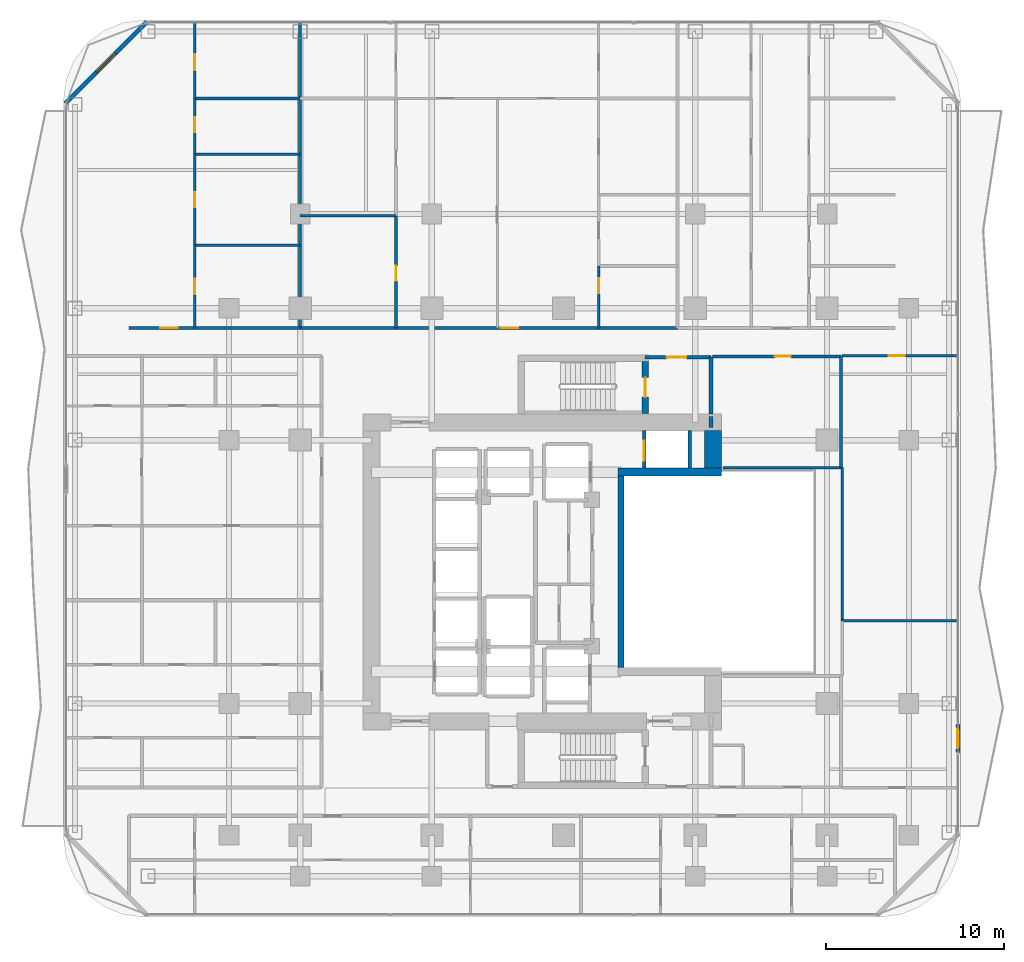
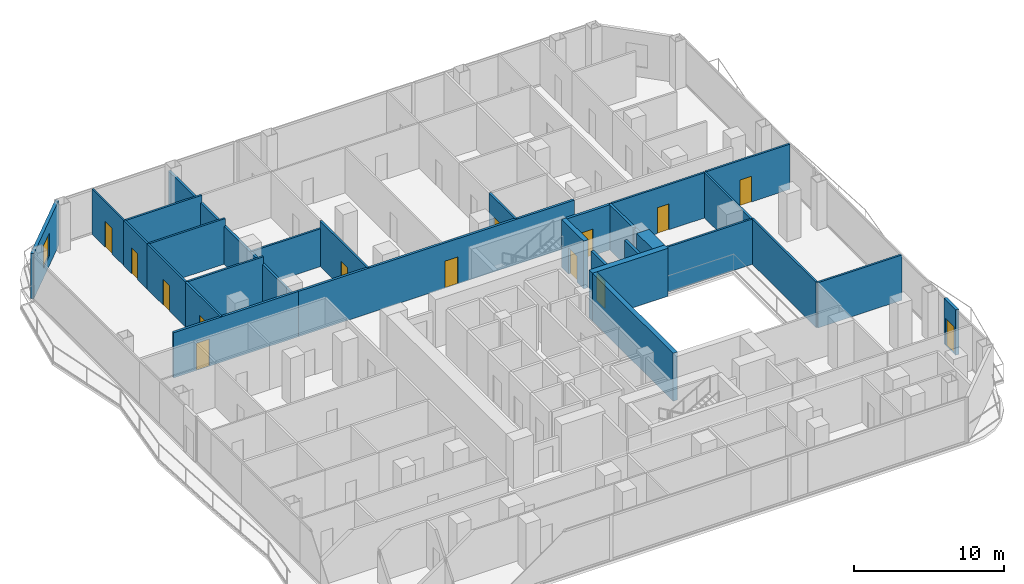
# One storey, part 22 of 28: 30 walls, 14 doors, 1 window, 15 openings.
"""IFC4 building model written with IfcOpenShell, lengths in metres."""

from ifc_helpers import new_model, si_unit, direction, frame, frame_2d, origin, place, context, subcontext, project, spatial, rectangle, extrude, material, layer, layer_set, type_object, element, fill, save


model = new_model("IFC4")

# Units and contexts
model_context = context("Model", 3, precision=1e-05, world=origin(), true_north=direction((0.0, 1.0)))
body_context = subcontext(model_context, "Body", "Model", "MODEL_VIEW")
ifc_project = project(units=[si_unit("LENGTHUNIT", "METRE"), si_unit("AREAUNIT", "SQUARE_METRE"), si_unit("VOLUMEUNIT", "CUBIC_METRE"), si_unit("PLANEANGLEUNIT", "RADIAN"), si_unit("MASSUNIT", "GRAM", prefix="KILO")], contexts=[model_context])

# Site, building, storey
site_placement = place(None, origin())
site = spatial("IfcSite", under=ifc_project, at=site_placement, CompositionType="ELEMENT")
building_placement = place(site_placement, origin())
building = spatial("IfcBuilding", under=site, at=building_placement, Name="Khorvyn Point Tower", CompositionType="ELEMENT")
storey_placement = place(building_placement, frame((0.0, 0.0, 100.800048828125)))
storey = spatial("IfcBuildingStorey", under=building, at=storey_placement, Name="L25", CompositionType="ELEMENT", Elevation=100.800048828125)

# Wall, opening, door
ifc_material_1 = material(Name="Double acoustic gypsum on twin steel stud", Category="steel")
ifc_layer_1 = layer(ifc_material_1, 0.179931640625)
ifc_layer_set_1 = layer_set([ifc_layer_1], Name="Acoustic Double-Stud Apartment Demising Wall 180")
wall_type_1 = type_object("IfcWallType", Name="Acoustic Double-Stud Apartment Demising Wall 180", PredefinedType="PARTITIONING", material=ifc_layer_set_1)
wall_1_placement = place(storey_placement, frame((-24.419921875, 13.699951171875, 0.0), z_axis=(0.0, 0.0, 1.0), x_axis=(1.0, 0.0, 0.0)))
wall_1 = element("IfcWall", 1, at=wall_1_placement, inside=storey, type_object=wall_type_1, Name="Wall", PredefinedType="PARTITIONING", context=body_context, shape_type="SweptSolid", body=[
    extrude(rectangle(XDim=9.61181640625, YDim=0.179931640625, at=frame_2d((4.805908203125, 0.0))), origin(), (0.0, 0.0, 1.0), 3.679931640625),
])
opening_1_placement = place(wall_1_placement, frame((1.747802734375, 0.0, 0.0)))
opening_1 = element("IfcOpeningElement", 2, at=opening_1_placement, cuts=wall_1, Name="Opening ID-AP60", PredefinedType="OPENING", context=body_context, shape_type="SweptSolid", body=[
    extrude(rectangle(XDim=1.0, YDim=2.199951171875, at=frame_2d((0.5, 1.10009765625))), frame((0.0, 0.099853515625, 0.0), z_axis=(0.0, -1.0, 0.0), x_axis=(1.0, 0.0, 0.0)), (0.0, 0.0, 1.0), 0.199951171875),
])
ifc_material_2 = material(Name="Engineered hardwood fire-rated leaf", Category="wood")
door_type_1 = type_object("IfcDoorType", Name="Acoustic Solid-Core Timber Apartment Entrance Door 1000x2200", OperationType="NOTDEFINED", PredefinedType="DOOR", material=ifc_material_2)
door_1_placement = place(opening_1_placement, origin())
door_1 = element("IfcDoor", 3, at=door_1_placement, inside=storey, type_object=door_type_1, Name="Door", OperationType="SINGLE_SWING_RIGHT", OverallHeight=2.199951171875, OverallWidth=1.0, PredefinedType="DOOR", context=body_context, shape_type="SweptSolid", body=[
    extrude(rectangle(XDim=1.0, YDim=2.199951171875, at=frame_2d((0.5, 1.10009765625))), frame((0.0, 0.02490234375, 0.0), z_axis=(0.0, -1.0, 0.0), x_axis=(1.0, 0.0, 0.0)), (0.0, 0.0, 1.0), 0.050048828125),
])
fill(opening_1, door_1)

wall_2_placement = place(storey_placement, frame((-14.80810546875, 13.699951171875, 0.0), z_axis=(0.0, 0.0, 1.0), x_axis=(1.0, 0.0, 0.0)))
wall_2 = element("IfcWall", 4, at=wall_2_placement, inside=storey, type_object=wall_type_1, Name="Wall", PredefinedType="PARTITIONING", context=body_context, shape_type="SweptSolid", body=[
    extrude(rectangle(XDim=21.212158203125, YDim=0.179931640625, at=frame_2d((10.60595703125, 0.0))), origin(), (0.0, 0.0, 1.0), 3.679931640625),
])
opening_2_placement = place(wall_2_placement, frame((11.270751953125, 0.0, 0.0)))
opening_2 = element("IfcOpeningElement", 5, at=opening_2_placement, cuts=wall_2, Name="Opening ID-AP60", PredefinedType="OPENING", context=body_context, shape_type="SweptSolid", body=[
    extrude(rectangle(XDim=1.0, YDim=2.199951171875, at=frame_2d((0.5, 1.10009765625))), frame((0.0, 0.099853515625, 0.0), z_axis=(0.0, -1.0, 0.0), x_axis=(1.0, 0.0, 0.0)), (0.0, 0.0, 1.0), 0.199951171875),
])
door_2_placement = place(opening_2_placement, origin())
door_2 = element("IfcDoor", 6, at=door_2_placement, inside=storey, type_object=door_type_1, Name="Door", OperationType="SINGLE_SWING_LEFT", OverallHeight=2.199951171875, OverallWidth=1.0, PredefinedType="DOOR", context=body_context, shape_type="SweptSolid", body=[
    extrude(rectangle(XDim=1.0, YDim=2.199951171875, at=frame_2d((0.5, 1.10009765625))), frame((0.0, 0.02490234375, 0.0), z_axis=(0.0, -1.0, 0.0), x_axis=(1.0, 0.0, 0.0)), (0.0, 0.0, 1.0), 0.050048828125),
])
fill(opening_2, door_2)

# Wall
wall_3_placement = place(storey_placement, frame((-14.80810546875, 13.699951171875, 0.0), z_axis=(0.0, 0.0, 1.0), x_axis=(0.0, 1.0, 0.0)))
element("IfcWall", 7, at=wall_3_placement, inside=storey, type_object=wall_type_1, Name="Wall", PredefinedType="PARTITIONING", context=body_context, shape_type="SweptSolid", body=[
    extrude(rectangle(XDim=17.130126953125, YDim=0.179931640625, at=frame_2d((8.56494140625, 0.0))), origin(), (0.0, 0.0, 1.0), 3.08203125),
])

# Wall, opening, door
ifc_material_3 = material(Name="Pale anodised aluminium rainscreen on steel stud", Category="steel")
ifc_layer_2 = layer(ifc_material_3, 0.239990234375)
ifc_layer_set_2 = layer_set([ifc_layer_2], Name="Anodised Aluminium Insulated Corner Spandrel Wall 240")
wall_type_2 = type_object("IfcWallType", Name="Anodised Aluminium Insulated Corner Spandrel Wall 240", PredefinedType="SOLIDWALL", material=ifc_layer_set_2)
wall_4_placement = place(storey_placement, frame((22.14990234375, -8.576904296875, 0.0), z_axis=(0.0, 0.0, 1.0), x_axis=(0.0, -1.0, 0.0)))
wall_4 = element("IfcWall", 8, at=wall_4_placement, inside=storey, type_object=wall_type_2, Name="L25 East Outdoor Threshold Wall", PredefinedType="SOLIDWALL", context=body_context, shape_type="SweptSolid", body=[
    extrude(rectangle(XDim=1.580078125, YDim=0.239990234375, at=frame_2d((0.7900390625, 0.0))), origin(), (0.0, 0.0, 1.0), 3.679931640625),
])
opening_3_placement = place(wall_4_placement, frame((0.239990234375, 0.0, 0.0)))
opening_3 = element("IfcOpeningElement", 9, at=opening_3_placement, cuts=wall_4, Name="Opening BD-1122", PredefinedType="OPENING", context=body_context, shape_type="SweptSolid", body=[
    extrude(rectangle(XDim=1.10009765625, YDim=2.199951171875, at=frame_2d((0.550048828125, 1.10009765625))), frame((0.0, 0.1298828125, 0.0), z_axis=(0.0, -1.0, 0.0), x_axis=(1.0, 0.0, 0.0)), (0.0, 0.0, 1.0), 0.260009765625),
])
ifc_material_4 = material(Name="Anodised aluminium 6063-T6 and laminated Low-E glass", Category="aluminium")
door_type_2 = type_object("IfcDoorType", Name="Glazed Balcony and Terrace Threshold Door 1100x2200", OperationType="NOTDEFINED", PredefinedType="DOOR", material=ifc_material_4)
door_3_placement = place(opening_3_placement, origin())
door_3 = element("IfcDoor", 10, at=door_3_placement, inside=storey, type_object=door_type_2, Name="L25 East Glazed Balcony Outdoor Door", OperationType="SINGLE_SWING_RIGHT", OverallHeight=2.199951171875, OverallWidth=1.10009765625, PredefinedType="DOOR", context=body_context, shape_type="SweptSolid", body=[
    extrude(rectangle(XDim=1.10009765625, YDim=2.199951171875, at=frame_2d((0.550048828125, 1.10009765625))), frame((0.0, 0.02490234375, 0.0), z_axis=(0.0, -1.0, 0.0), x_axis=(1.0, 0.0, 0.0)), (0.0, 0.0, 1.0), 0.050048828125),
])
fill(opening_3, door_3)

# Wall, opening, window
wall_5_placement = place(storey_placement, frame((-27.992431640625, 26.3076171875, 0.0), z_axis=(0.0, 0.0, 1.0), x_axis=(0.707106781187, 0.707106781187, 0.0)))
wall_5 = element("IfcWall", 11, at=wall_5_placement, inside=storey, type_object=wall_type_2, Name="L25 Rounded Corner Wall NW", PredefinedType="SOLIDWALL", context=body_context, shape_type="SweptSolid", body=[
    extrude(rectangle(XDim=6.48388671875, YDim=0.239990234375, at=frame_2d((3.241943359375, 0.0))), origin(), (0.0, 0.0, 1.0), 3.679931640625),
])
opening_4_placement = place(wall_5_placement, frame((2.491943359375, 0.0, 0.800048828125)))
opening_4 = element("IfcOpeningElement", 12, at=opening_4_placement, cuts=wall_5, Name="Opening WN-1518", PredefinedType="OPENING", context=body_context, shape_type="SweptSolid", body=[
    extrude(rectangle(XDim=1.5, YDim=1.85009765625, at=frame_2d((0.75, 0.925048828125))), frame((0.0, 0.1298828125, 0.0), z_axis=(0.0, -1.0, 0.0), x_axis=(1.0, 0.0, 0.0)), (0.0, 0.0, 1.0), 0.260009765625),
])
window_type = type_object("IfcWindowType", Name="Anodised Aluminium Rounded-Corner Panoramic Window 1500x1850", PartitioningType="SINGLE_PANEL", PredefinedType="WINDOW", material=ifc_material_4)
window_placement = place(opening_4_placement, origin())
window = element("IfcWindow", 13, at=window_placement, inside=storey, type_object=window_type, Name="L25 Corner Panoramic Window NW", OverallHeight=1.85009765625, OverallWidth=1.5, PartitioningType="SINGLE_PANEL", PredefinedType="WINDOW", context=body_context, shape_type="SweptSolid", body=[
    extrude(rectangle(XDim=1.5, YDim=1.85009765625, at=frame_2d((0.75, 0.925048828125))), frame((0.0, 0.030029296875, 0.0), z_axis=(0.0, -1.0, 0.0), x_axis=(1.0, 0.0, 0.0)), (0.0, 0.0, 1.0), 0.06005859375),
])
fill(opening_4, window)

# Wall
ifc_material_5 = material(Name="Concrete C40/50", Category="concrete")
ifc_layer_3 = layer(ifc_material_5, 0.449951171875)
ifc_layer_set_3 = layer_set([ifc_layer_3], Name="Concrete C40/50 Core Shear Wall 450")
wall_type_3 = type_object("IfcWallType", Name="Concrete C40/50 Core Shear Wall 450", PredefinedType="SHEAR", material=ifc_layer_set_3)
wall_6_placement = place(storey_placement, frame((3.044921875, 5.60009765625, 0.0), z_axis=(0.0, 0.0, 1.0), x_axis=(1.0, 0.0, 0.0)))
element("IfcWall", 14, at=wall_6_placement, inside=storey, type_object=wall_type_3, Name="Wall", PredefinedType="SHEAR", context=body_context, shape_type="SweptSolid", body=[
    extrude(rectangle(XDim=5.830078125, YDim=0.449951171875, at=frame_2d((2.9150390625, 0.0))), origin(), (0.0, 0.0, 1.0), 3.89990234375),
])

# Wall, opening, door
ifc_layer_4 = layer(ifc_material_5, 0.199951171875)
ifc_layer_set_4 = layer_set([ifc_layer_4], Name="Concrete C40/50 Fire-Lobby Compartment Wall 200")
wall_type_4 = type_object("IfcWallType", Name="Concrete C40/50 Fire-Lobby Compartment Wall 200", PredefinedType="SOLIDWALL", material=ifc_layer_set_4)
wall_7_placement = place(storey_placement, frame((4.580078125, 12.06005859375, 0.0), z_axis=(0.0, 0.0, 1.0), x_axis=(1.0, 0.0, 0.0)))
wall_7 = element("IfcWall", 15, at=wall_7_placement, inside=storey, type_object=wall_type_4, Name="Wall", PredefinedType="SOLIDWALL", context=body_context, shape_type="SweptSolid", body=[
    extrude(rectangle(XDim=3.699951171875, YDim=0.199951171875, at=frame_2d((1.85009765625, 0.0))), origin(), (0.0, 0.0, 1.0), 3.679931640625),
])
opening_5_placement = place(wall_7_placement, frame((1.21240234375, 0.0, 0.0)))
opening_5 = element("IfcOpeningElement", 16, at=opening_5_placement, cuts=wall_7, Name="Opening ID-FL90", PredefinedType="OPENING", context=body_context, shape_type="SweptSolid", body=[
    extrude(rectangle(XDim=1.10009765625, YDim=2.14990234375, at=frame_2d((0.550048828125, 1.074951171875))), frame((0.0, 0.10986328125, 0.0), z_axis=(0.0, -1.0, 0.0), x_axis=(1.0, 0.0, 0.0)), (0.0, 0.0, 1.0), 0.219970703125),
])
ifc_material_6 = material(Name="Galvanised powder-coated steel", Category="steel")
door_type_3 = type_object("IfcDoorType", Name="Fire-Rated Steel Lobby and Stair Door 1100x2150", OperationType="NOTDEFINED", PredefinedType="DOOR", material=ifc_material_6)
door_4_placement = place(opening_5_placement, origin())
door_4 = element("IfcDoor", 17, at=door_4_placement, inside=storey, type_object=door_type_3, Name="Door", OperationType="SINGLE_SWING_LEFT", OverallHeight=2.14990234375, OverallWidth=1.10009765625, PredefinedType="DOOR", context=body_context, shape_type="SweptSolid", body=[
    extrude(rectangle(XDim=1.10009765625, YDim=2.14990234375, at=frame_2d((0.550048828125, 1.074951171875))), frame((0.0, 0.02490234375, 0.0), z_axis=(0.0, -1.0, 0.0), x_axis=(1.0, 0.0, 0.0)), (0.0, 0.0, 1.0), 0.050048828125),
])
fill(opening_5, door_4)

# Walls
wall_8_placement = place(storey_placement, frame((8.280029296875, 8.875, 0.0), z_axis=(0.0, 0.0, 1.0), x_axis=(0.0, 1.0, 0.0)))
element("IfcWall", 18, at=wall_8_placement, inside=storey, type_object=wall_type_4, Name="Wall", PredefinedType="SOLIDWALL", context=body_context, shape_type="SweptSolid", body=[
    extrude(rectangle(XDim=3.18505859375, YDim=0.199951171875, at=frame_2d((1.592529296875, 0.0))), origin(), (0.0, 0.0, 1.0), 3.679931640625),
])
wall_9_placement = place(storey_placement, frame((8.280029296875, 8.10009765625, 0.0), z_axis=(0.0, 0.0, 1.0), x_axis=(0.0, 1.0, 0.0)))
element("IfcWall", 19, at=wall_9_placement, inside=storey, type_object=wall_type_4, Name="Wall", PredefinedType="SOLIDWALL", context=body_context, shape_type="SweptSolid", body=[
    extrude(rectangle(XDim=0.625, YDim=0.199951171875, at=frame_2d((0.3125, 0.0))), origin(), (0.0, 0.0, 1.0), 3.679931640625),
])
ifc_layer_5 = layer(ifc_material_5, 0.35009765625)
ifc_layer_set_5 = layer_set([ifc_layer_5], Name="Concrete C40/50 Stair Shaft Structural Wall 350")
wall_type_5 = type_object("IfcWallType", Name="Concrete C40/50 Stair Shaft Structural Wall 350", PredefinedType="SHEAR", material=ifc_layer_set_5)
wall_10_placement = place(storey_placement, frame((3.219970703125, -5.375, 0.0), z_axis=(0.0, 0.0, 1.0), x_axis=(0.0, 1.0, 0.0)))
element("IfcWall", 20, at=wall_10_placement, inside=storey, type_object=wall_type_5, Name="Wall", PredefinedType="SHEAR", context=body_context, shape_type="SweptSolid", body=[
    extrude(rectangle(XDim=10.75, YDim=0.35009765625, at=frame_2d((5.375, 0.0))), origin(), (0.0, 0.0, 1.0), 3.89990234375),
])

# Wall, opening, door
wall_11_placement = place(storey_placement, frame((4.580078125, 11.824951171875, 0.0), z_axis=(0.0, 0.0, 1.0), x_axis=(0.0, -1.0, 0.0)))
wall_11 = element("IfcWall", 21, at=wall_11_placement, inside=storey, type_object=wall_type_5, Name="L25 ST-02 East Landing Door Wall", PredefinedType="SHEAR", context=body_context, shape_type="SweptSolid", body=[
    extrude(rectangle(XDim=2.925048828125, YDim=0.35009765625, at=frame_2d((1.46240234375, 0.0))), origin(), (0.0, 0.0, 1.0), 3.89990234375),
])
opening_6_placement = place(wall_11_placement, frame((0.91259765625, 0.0, 0.0)))
opening_6 = element("IfcOpeningElement", 22, at=opening_6_placement, cuts=wall_11, Name="Opening ID-FL90", PredefinedType="OPENING", context=body_context, shape_type="SweptSolid", body=[
    extrude(rectangle(XDim=1.10009765625, YDim=2.14990234375, at=frame_2d((0.550048828125, 1.074951171875))), frame((0.0, 0.18505859375, 0.0), z_axis=(0.0, -1.0, 0.0), x_axis=(1.0, 0.0, 0.0)), (0.0, 0.0, 1.0), 0.3701171875),
])
door_5_placement = place(opening_6_placement, origin())
door_5 = element("IfcDoor", 23, at=door_5_placement, inside=storey, type_object=door_type_3, Name="L25 ST-02 Smokeproof Landing Door", OperationType="SINGLE_SWING_RIGHT", OverallHeight=2.14990234375, OverallWidth=1.10009765625, PredefinedType="DOOR", context=body_context, shape_type="SweptSolid", body=[
    extrude(rectangle(XDim=1.10009765625, YDim=2.14990234375, at=frame_2d((0.550048828125, 1.074951171875))), frame((0.0, 0.02490234375, 0.0), z_axis=(0.0, -1.0, 0.0), x_axis=(1.0, 0.0, 0.0)), (0.0, 0.0, 1.0), 0.050048828125),
])
fill(opening_6, door_5)

ifc_layer_6 = layer(ifc_material_5, 0.199951171875)
ifc_layer_set_6 = layer_set([ifc_layer_6], Name="Concrete C40/50 Structural Hoistway and Stair Shaft Wall 200")
wall_type_6 = type_object("IfcWallType", Name="Concrete C40/50 Structural Hoistway and Stair Shaft Wall 200", PredefinedType="SHEAR", material=ifc_layer_set_6)
wall_12_placement = place(storey_placement, frame((4.52490234375, 5.824951171875, 0.0), z_axis=(0.0, 0.0, 1.0), x_axis=(0.0, 1.0, 0.0)))
wall_12 = element("IfcWall", 24, at=wall_12_placement, inside=storey, type_object=wall_type_6, Name="Wall", PredefinedType="SHEAR", context=body_context, shape_type="SweptSolid", body=[
    extrude(rectangle(XDim=2.10009765625, YDim=0.199951171875, at=frame_2d((1.050048828125, 0.0))), origin(), (0.0, 0.0, 1.0), 3.679931640625),
])
opening_7_placement = place(wall_12_placement, frame((0.425048828125, 0.0, 0.0)))
opening_7 = element("IfcOpeningElement", 25, at=opening_7_placement, cuts=wall_12, Name="Opening LD-1122", PredefinedType="OPENING", context=body_context, shape_type="SweptSolid", body=[
    extrude(rectangle(XDim=1.10009765625, YDim=2.199951171875, at=frame_2d((0.550048828125, 1.10009765625))), frame((0.0, 0.10986328125, 0.0), z_axis=(0.0, -1.0, 0.0), x_axis=(1.0, 0.0, 0.0)), (0.0, 0.0, 1.0), 0.219970703125),
])
ifc_material_7 = material(Name="Stainless steel 1.4301", Category="steel")
door_type_4 = type_object("IfcDoorType", Name="Stainless Steel Automatic Sliding Lift Landing Door 1100x2200", OperationType="SLIDING_TO_LEFT", PredefinedType="DOOR", material=ifc_material_7)
door_6_placement = place(opening_7_placement, origin())
door_6 = element("IfcDoor", 26, at=door_6_placement, inside=storey, type_object=door_type_4, Name="L25 FF-02 Sliding Lift Landing Door", OperationType="SLIDING_TO_LEFT", OverallHeight=2.199951171875, OverallWidth=1.10009765625, PredefinedType="DOOR", context=body_context, shape_type="SweptSolid", body=[
    extrude(rectangle(XDim=1.10009765625, YDim=2.199951171875, at=frame_2d((0.550048828125, 1.10009765625))), frame((0.0, 0.02490234375, 0.0), z_axis=(0.0, -1.0, 0.0), x_axis=(1.0, 0.0, 0.0)), (0.0, 0.0, 1.0), 0.050048828125),
])
fill(opening_7, door_6)

# Walls
wall_13_placement = place(storey_placement, frame((7.074951171875, 5.824951171875, 0.0), z_axis=(0.0, 0.0, 1.0), x_axis=(0.0, 1.0, 0.0)))
element("IfcWall", 27, at=wall_13_placement, inside=storey, type_object=wall_type_6, Name="Wall", PredefinedType="SHEAR", context=body_context, shape_type="SweptSolid", body=[
    extrude(rectangle(XDim=2.10009765625, YDim=0.199951171875, at=frame_2d((1.050048828125, 0.0))), origin(), (0.0, 0.0, 1.0), 3.679931640625),
])
ifc_material_8 = material(Name="Concrete C50/60", Category="concrete")
ifc_layer_7 = layer(ifc_material_8, 0.949951171875)
ifc_layer_set_7 = layer_set([ifc_layer_7], Name="Concrete C50/60 Core Shear Wall 950")
wall_type_7 = type_object("IfcWallType", Name="Concrete C50/60 Core Shear Wall 950", PredefinedType="SHEAR", material=ifc_layer_set_7)
wall_14_placement = place(storey_placement, frame((8.39990234375, 5.824951171875, 0.0), z_axis=(0.0, 0.0, 1.0), x_axis=(0.0, 1.0, 0.0)))
element("IfcWall", 28, at=wall_14_placement, inside=storey, type_object=wall_type_7, Name="Wall", PredefinedType="SHEAR", context=body_context, shape_type="SweptSolid", body=[
    extrude(rectangle(XDim=2.10009765625, YDim=0.949951171875, at=frame_2d((1.050048828125, 0.0))), origin(), (0.0, 0.0, 1.0), 3.89990234375),
])

# Wall, opening, door
ifc_material_9 = material(Name="Gypsum plasterboard on steel stud", Category="steel")
ifc_layer_8 = layer(ifc_material_9, 0.1201171875)
ifc_layer_set_8 = layer_set([ifc_layer_8], Name="Gypsum Acoustic Stud Room Partition Wall 120")
wall_type_8 = type_object("IfcWallType", Name="Gypsum Acoustic Stud Room Partition Wall 120", PredefinedType="PARTITIONING", material=ifc_layer_set_8)
wall_15_placement = place(storey_placement, frame((-20.720947265625, 26.590087890625, 0.0), z_axis=(0.0, 0.0, 1.0), x_axis=(0.0, 1.0, 0.0)))
wall_15 = element("IfcWall", 29, at=wall_15_placement, inside=storey, type_object=wall_type_8, Name="Wall", PredefinedType="PARTITIONING", context=body_context, shape_type="SweptSolid", body=[
    extrude(rectangle(XDim=4.239990234375, YDim=0.1201171875, at=frame_2d((2.1201171875, 0.0))), origin(), (0.0, 0.0, 1.0), 3.679931640625),
])
opening_8_placement = place(wall_15_placement, frame((1.581298828125, 0.0, 0.0)))
opening_8 = element("IfcOpeningElement", 30, at=opening_8_placement, cuts=wall_15, Name="Opening ID-RM90", PredefinedType="OPENING", context=body_context, shape_type="SweptSolid", body=[
    extrude(rectangle(XDim=0.89990234375, YDim=2.10009765625, at=frame_2d((0.449951171875, 1.050048828125))), frame((0.0, 0.070068359375, 0.0), z_axis=(0.0, -1.0, 0.0), x_axis=(1.0, 0.0, 0.0)), (0.0, 0.0, 1.0), 0.14013671875),
])
ifc_material_10 = material(Name="Engineered oak veneer timber", Category="wood")
door_type_5 = type_object("IfcDoorType", Name="Flush Engineered Timber Room Door 900x2100", OperationType="NOTDEFINED", PredefinedType="DOOR", material=ifc_material_10)
door_7_placement = place(opening_8_placement, origin())
door_7 = element("IfcDoor", 31, at=door_7_placement, inside=storey, type_object=door_type_5, Name="Door", OperationType="SINGLE_SWING_RIGHT", OverallHeight=2.10009765625, OverallWidth=0.89990234375, PredefinedType="DOOR", context=body_context, shape_type="SweptSolid", body=[
    extrude(rectangle(XDim=0.89990234375, YDim=2.10009765625, at=frame_2d((0.449951171875, 1.050048828125))), frame((0.0, 0.02490234375, 0.0), z_axis=(0.0, -1.0, 0.0), x_axis=(1.0, 0.0, 0.0)), (0.0, 0.0, 1.0), 0.050048828125),
])
fill(opening_8, door_7)

ifc_material_11 = material(Name="Moisture-resistant gypsum and cement board", Category="gypsum")
ifc_layer_9 = layer(ifc_material_11, 0.14990234375)
ifc_layer_set_9 = layer_set([ifc_layer_9], Name="Moisture-Resistant Wet-Room Partition Wall 150")
wall_type_9 = type_object("IfcWallType", Name="Moisture-Resistant Wet-Room Partition Wall 150", PredefinedType="PARTITIONING", material=ifc_layer_set_9)
wall_16_placement = place(storey_placement, frame((8.360107421875, 12.10009765625, 0.0), z_axis=(0.0, 0.0, 1.0), x_axis=(1.0, 0.0, 0.0)))
wall_16 = element("IfcWall", 32, at=wall_16_placement, inside=storey, type_object=wall_type_9, Name="Wall", PredefinedType="PARTITIONING", context=body_context, shape_type="SweptSolid", body=[
    extrude(rectangle(XDim=7.219970703125, YDim=0.14990234375, at=frame_2d((3.60986328125, 0.0))), origin(), (0.0, 0.0, 1.0), 3.679931640625),
])
opening_9_placement = place(wall_16_placement, frame((3.512939453125, 0.0, 0.0)))
opening_9 = element("IfcOpeningElement", 33, at=opening_9_placement, cuts=wall_16, Name="Opening ID-RM90", PredefinedType="OPENING", context=body_context, shape_type="SweptSolid", body=[
    extrude(rectangle(XDim=0.89990234375, YDim=2.10009765625, at=frame_2d((0.449951171875, 1.050048828125))), frame((0.0, 0.0849609375, 0.0), z_axis=(0.0, -1.0, 0.0), x_axis=(1.0, 0.0, 0.0)), (0.0, 0.0, 1.0), 0.169921875),
])
door_8_placement = place(opening_9_placement, origin())
door_8 = element("IfcDoor", 34, at=door_8_placement, inside=storey, type_object=door_type_5, Name="Door", OperationType="SINGLE_SWING_LEFT", OverallHeight=2.10009765625, OverallWidth=0.89990234375, PredefinedType="DOOR", context=body_context, shape_type="SweptSolid", body=[
    extrude(rectangle(XDim=0.89990234375, YDim=2.10009765625, at=frame_2d((0.449951171875, 1.050048828125))), frame((0.0, 0.02490234375, 0.0), z_axis=(0.0, -1.0, 0.0), x_axis=(1.0, 0.0, 0.0)), (0.0, 0.0, 1.0), 0.050048828125),
])
fill(opening_9, door_8)

wall_17_placement = place(storey_placement, frame((-20.720947265625, 18.35107421875, 0.0), z_axis=(0.0, 0.0, 1.0), x_axis=(0.0, 1.0, 0.0)))
wall_17 = element("IfcWall", 35, at=wall_17_placement, inside=storey, type_object=wall_type_9, Name="Wall", PredefinedType="PARTITIONING", context=body_context, shape_type="SweptSolid", body=[
    extrude(rectangle(XDim=5.10986328125, YDim=0.14990234375, at=frame_2d((2.554931640625, 0.0))), origin(), (0.0, 0.0, 1.0), 3.679931640625),
])
opening_10_placement = place(wall_17_placement, frame((2.1298828125, 0.0, 0.0)))
opening_10 = element("IfcOpeningElement", 36, at=opening_10_placement, cuts=wall_17, Name="Opening ID-WC85", PredefinedType="OPENING", context=body_context, shape_type="SweptSolid", body=[
    extrude(rectangle(XDim=0.85009765625, YDim=2.10009765625, at=frame_2d((0.425048828125, 1.050048828125))), frame((0.0, 0.0849609375, 0.0), z_axis=(0.0, -1.0, 0.0), x_axis=(1.0, 0.0, 0.0)), (0.0, 0.0, 1.0), 0.169921875),
])
ifc_material_12 = material(Name="High-pressure laminate on moisture-resistant core", Category="wood")
door_type_6 = type_object("IfcDoorType", Name="Moisture-Resistant Accessible Washroom Door 850x2100", OperationType="NOTDEFINED", PredefinedType="DOOR", material=ifc_material_12)
door_9_placement = place(opening_10_placement, origin())
door_9 = element("IfcDoor", 37, at=door_9_placement, inside=storey, type_object=door_type_6, Name="Door", OperationType="SINGLE_SWING_LEFT", OverallHeight=2.10009765625, OverallWidth=0.85009765625, PredefinedType="DOOR", context=body_context, shape_type="SweptSolid", body=[
    extrude(rectangle(XDim=0.85009765625, YDim=2.10009765625, at=frame_2d((0.425048828125, 1.050048828125))), frame((0.0, 0.02490234375, 0.0), z_axis=(0.0, -1.0, 0.0), x_axis=(1.0, 0.0, 0.0)), (0.0, 0.0, 1.0), 0.050048828125),
])
fill(opening_10, door_9)

wall_18_placement = place(storey_placement, frame((-20.720947265625, 13.699951171875, 0.0), z_axis=(0.0, 0.0, 1.0), x_axis=(0.0, 1.0, 0.0)))
wall_18 = element("IfcWall", 38, at=wall_18_placement, inside=storey, type_object=wall_type_9, Name="Wall", PredefinedType="PARTITIONING", context=body_context, shape_type="SweptSolid", body=[
    extrude(rectangle(XDim=4.651123046875, YDim=0.14990234375, at=frame_2d((2.32568359375, 0.0))), origin(), (0.0, 0.0, 1.0), 3.679931640625),
])
opening_11_placement = place(wall_18_placement, frame((1.900390625, 0.0, 0.0)))
opening_11 = element("IfcOpeningElement", 39, at=opening_11_placement, cuts=wall_18, Name="Opening ID-WC85", PredefinedType="OPENING", context=body_context, shape_type="SweptSolid", body=[
    extrude(rectangle(XDim=0.85009765625, YDim=2.10009765625, at=frame_2d((0.425048828125, 1.050048828125))), frame((0.0, 0.0849609375, 0.0), z_axis=(0.0, -1.0, 0.0), x_axis=(1.0, 0.0, 0.0)), (0.0, 0.0, 1.0), 0.169921875),
])
door_10_placement = place(opening_11_placement, origin())
door_10 = element("IfcDoor", 40, at=door_10_placement, inside=storey, type_object=door_type_6, Name="Door", OperationType="SINGLE_SWING_RIGHT", OverallHeight=2.10009765625, OverallWidth=0.85009765625, PredefinedType="DOOR", context=body_context, shape_type="SweptSolid", body=[
    extrude(rectangle(XDim=0.85009765625, YDim=2.10009765625, at=frame_2d((0.425048828125, 1.050048828125))), frame((0.0, 0.02490234375, 0.0), z_axis=(0.0, -1.0, 0.0), x_axis=(1.0, 0.0, 0.0)), (0.0, 0.0, 1.0), 0.050048828125),
])
fill(opening_11, door_10)

wall_19_placement = place(storey_placement, frame((-20.720947265625, 23.4609375, 0.0), z_axis=(0.0, 0.0, 1.0), x_axis=(0.0, 1.0, 0.0)))
wall_19 = element("IfcWall", 41, at=wall_19_placement, inside=storey, type_object=wall_type_9, Name="Wall", PredefinedType="PARTITIONING", context=body_context, shape_type="SweptSolid", body=[
    extrude(rectangle(XDim=3.129150390625, YDim=0.14990234375, at=frame_2d((1.564453125, 0.0))), origin(), (0.0, 0.0, 1.0), 3.679931640625),
])
opening_12_placement = place(wall_19_placement, frame((1.228515625, 0.0, 0.0)))
opening_12 = element("IfcOpeningElement", 42, at=opening_12_placement, cuts=wall_19, Name="Opening ID-WC85", PredefinedType="OPENING", context=body_context, shape_type="SweptSolid", body=[
    extrude(rectangle(XDim=0.85009765625, YDim=2.10009765625, at=frame_2d((0.425048828125, 1.050048828125))), frame((0.0, 0.0849609375, 0.0), z_axis=(0.0, -1.0, 0.0), x_axis=(1.0, 0.0, 0.0)), (0.0, 0.0, 1.0), 0.169921875),
])
door_11_placement = place(opening_12_placement, origin())
door_11 = element("IfcDoor", 43, at=door_11_placement, inside=storey, type_object=door_type_6, Name="Door", OperationType="SINGLE_SWING_LEFT", OverallHeight=2.10009765625, OverallWidth=0.85009765625, PredefinedType="DOOR", context=body_context, shape_type="SweptSolid", body=[
    extrude(rectangle(XDim=0.85009765625, YDim=2.10009765625, at=frame_2d((0.425048828125, 1.050048828125))), frame((0.0, 0.02490234375, 0.0), z_axis=(0.0, -1.0, 0.0), x_axis=(1.0, 0.0, 0.0)), (0.0, 0.0, 1.0), 0.050048828125),
])
fill(opening_12, door_11)

wall_20_placement = place(storey_placement, frame((-9.4140625, 13.699951171875, 0.0), z_axis=(0.0, 0.0, 1.0), x_axis=(0.0, 1.0, 0.0)))
wall_20 = element("IfcWall", 44, at=wall_20_placement, inside=storey, type_object=wall_type_9, Name="Wall", PredefinedType="PARTITIONING", context=body_context, shape_type="SweptSolid", body=[
    extrude(rectangle(XDim=6.302978515625, YDim=0.14990234375, at=frame_2d((3.1513671875, 0.0))), origin(), (0.0, 0.0, 1.0), 3.679931640625),
])
opening_13_placement = place(wall_20_placement, frame((2.637939453125, 0.0, 0.0)))
opening_13 = element("IfcOpeningElement", 45, at=opening_13_placement, cuts=wall_20, Name="Opening ID-WC85", PredefinedType="OPENING", context=body_context, shape_type="SweptSolid", body=[
    extrude(rectangle(XDim=0.85009765625, YDim=2.10009765625, at=frame_2d((0.425048828125, 1.050048828125))), frame((0.0, 0.0849609375, 0.0), z_axis=(0.0, -1.0, 0.0), x_axis=(1.0, 0.0, 0.0)), (0.0, 0.0, 1.0), 0.169921875),
])
door_12_placement = place(opening_13_placement, origin())
door_12 = element("IfcDoor", 46, at=door_12_placement, inside=storey, type_object=door_type_6, Name="Door", OperationType="SINGLE_SWING_LEFT", OverallHeight=2.10009765625, OverallWidth=0.85009765625, PredefinedType="DOOR", context=body_context, shape_type="SweptSolid", body=[
    extrude(rectangle(XDim=0.85009765625, YDim=2.10009765625, at=frame_2d((0.425048828125, 1.050048828125))), frame((0.0, 0.02490234375, 0.0), z_axis=(0.0, -1.0, 0.0), x_axis=(1.0, 0.0, 0.0)), (0.0, 0.0, 1.0), 0.050048828125),
])
fill(opening_13, door_12)

wall_21_placement = place(storey_placement, frame((1.967041015625, 13.699951171875, 0.0), z_axis=(0.0, 0.0, 1.0), x_axis=(0.0, 1.0, 0.0)))
wall_21 = element("IfcWall", 47, at=wall_21_placement, inside=storey, type_object=wall_type_9, Name="Wall", PredefinedType="PARTITIONING", context=body_context, shape_type="SweptSolid", body=[
    extrude(rectangle(XDim=3.47998046875, YDim=0.14990234375, at=frame_2d((1.739990234375, 0.0))), origin(), (0.0, 0.0, 1.0), 3.679931640625),
])
opening_14_placement = place(wall_21_placement, frame((1.93701171875, 0.0, 0.0)))
opening_14 = element("IfcOpeningElement", 48, at=opening_14_placement, cuts=wall_21, Name="Opening ID-WC85", PredefinedType="OPENING", context=body_context, shape_type="SweptSolid", body=[
    extrude(rectangle(XDim=0.85009765625, YDim=2.10009765625, at=frame_2d((0.425048828125, 1.050048828125))), frame((0.0, 0.0849609375, 0.0), z_axis=(0.0, -1.0, 0.0), x_axis=(1.0, 0.0, 0.0)), (0.0, 0.0, 1.0), 0.169921875),
])
door_13_placement = place(opening_14_placement, origin())
door_13 = element("IfcDoor", 49, at=door_13_placement, inside=storey, type_object=door_type_6, Name="Door", OperationType="SINGLE_SWING_RIGHT", OverallHeight=2.10009765625, OverallWidth=0.85009765625, PredefinedType="DOOR", context=body_context, shape_type="SweptSolid", body=[
    extrude(rectangle(XDim=0.85009765625, YDim=2.10009765625, at=frame_2d((0.425048828125, 1.050048828125))), frame((0.0, 0.02490234375, 0.0), z_axis=(0.0, -1.0, 0.0), x_axis=(1.0, 0.0, 0.0)), (0.0, 0.0, 1.0), 0.050048828125),
])
fill(opening_14, door_13)

wall_22_placement = place(storey_placement, frame((15.64990234375, 12.139892578125, 0.0), z_axis=(0.0, 0.0, 1.0), x_axis=(1.0, 0.0, 0.0)))
wall_22 = element("IfcWall", 50, at=wall_22_placement, inside=storey, type_object=wall_type_9, Name="Wall", PredefinedType="PARTITIONING", context=body_context, shape_type="SweptSolid", body=[
    extrude(rectangle(XDim=6.47021484375, YDim=0.14990234375, at=frame_2d((3.235107421875, 0.0))), origin(), (0.0, 0.0, 1.0), 3.679931640625),
])
opening_15_placement = place(wall_22_placement, frame((2.610107421875, 0.0, 0.0)))
opening_15 = element("IfcOpeningElement", 51, at=opening_15_placement, cuts=wall_22, Name="Opening ID-RM90", PredefinedType="OPENING", context=body_context, shape_type="SweptSolid", body=[
    extrude(rectangle(XDim=0.89990234375, YDim=2.10009765625, at=frame_2d((0.449951171875, 1.050048828125))), frame((0.0, 0.0849609375, 0.0), z_axis=(0.0, -1.0, 0.0), x_axis=(1.0, 0.0, 0.0)), (0.0, 0.0, 1.0), 0.169921875),
])
door_14_placement = place(opening_15_placement, origin())
door_14 = element("IfcDoor", 52, at=door_14_placement, inside=storey, type_object=door_type_5, Name="Door", OperationType="SINGLE_SWING_LEFT", OverallHeight=2.10009765625, OverallWidth=0.89990234375, PredefinedType="DOOR", context=body_context, shape_type="SweptSolid", body=[
    extrude(rectangle(XDim=0.89990234375, YDim=2.10009765625, at=frame_2d((0.449951171875, 1.050048828125))), frame((0.0, 0.02490234375, 0.0), z_axis=(0.0, -1.0, 0.0), x_axis=(1.0, 0.0, 0.0)), (0.0, 0.0, 1.0), 0.050048828125),
])
fill(opening_15, door_14)

# Walls
wall_23_placement = place(storey_placement, frame((15.580078125, 5.85009765625, 0.0), z_axis=(0.0, 0.0, 1.0), x_axis=(0.0, 1.0, 0.0)))
element("IfcWall", 53, at=wall_23_placement, inside=storey, type_object=wall_type_9, Name="Wall", PredefinedType="PARTITIONING", context=body_context, shape_type="SweptSolid", body=[
    extrude(rectangle(XDim=6.25, YDim=0.14990234375, at=frame_2d((3.125, 0.0))), origin(), (0.0, 0.0, 1.0), 3.679931640625),
])
wall_24_placement = place(storey_placement, frame((8.9599609375, 5.85009765625, 0.0), z_axis=(0.0, 0.0, 1.0), x_axis=(1.0, 0.0, 0.0)))
element("IfcWall", 54, at=wall_24_placement, inside=storey, type_object=wall_type_9, Name="Wall", PredefinedType="PARTITIONING", context=body_context, shape_type="SweptSolid", body=[
    extrude(rectangle(XDim=6.6201171875, YDim=0.14990234375, at=frame_2d((3.31005859375, 0.0))), origin(), (0.0, 0.0, 1.0), 3.679931640625),
])
for number, where, z_axis, x_axis, name in (
    (55, (-20.720947265625, 18.35107421875, 0.0), (0.0, 0.0, 1.0), (1.0, 0.0, 0.0), "Wall"),
    (56, (-20.720947265625, 23.4609375, 0.0), (0.0, 0.0, 1.0), (1.0, 0.0, 0.0), "Wall"),
    (57, (-20.720947265625, 26.590087890625, 0.0), (0.0, 0.0, 1.0), (1.0, 0.0, 0.0), "Wall"),
):
    element("IfcWall", number, at=place(storey_placement, frame(where, z_axis=z_axis, x_axis=x_axis)), inside=storey, type_object=wall_type_9, Name=name, PredefinedType="PARTITIONING", context=body_context, shape_type="SweptSolid", body=[
        extrude(rectangle(XDim=5.912841796875, YDim=0.14990234375, at=frame_2d((2.95654296875, 0.0))), origin(), (0.0, 0.0, 1.0), 3.679931640625),
    ])
wall_25_placement = place(storey_placement, frame((-14.80810546875, 20.0029296875, 0.0), z_axis=(0.0, 0.0, 1.0), x_axis=(1.0, 0.0, 0.0)))
element("IfcWall", 58, at=wall_25_placement, inside=storey, type_object=wall_type_9, Name="Wall", PredefinedType="PARTITIONING", context=body_context, shape_type="SweptSolid", body=[
    extrude(rectangle(XDim=5.39404296875, YDim=0.14990234375, at=frame_2d((2.697021484375, 0.0))), origin(), (0.0, 0.0, 1.0), 3.08203125),
])
wall_26_placement = place(storey_placement, frame((15.64990234375, -2.75, 0.0), z_axis=(0.0, 0.0, 1.0), x_axis=(0.0, 1.0, 0.0)))
element("IfcWall", 59, at=wall_26_placement, inside=storey, type_object=wall_type_9, Name="Wall", PredefinedType="PARTITIONING", context=body_context, shape_type="SweptSolid", body=[
    extrude(rectangle(XDim=8.60009765625, YDim=0.14990234375, at=frame_2d((4.300048828125, 0.0))), origin(), (0.0, 0.0, 1.0), 3.679931640625),
])
wall_27_placement = place(storey_placement, frame((15.64990234375, -2.75, 0.0), z_axis=(0.0, 0.0, 1.0), x_axis=(1.0, 0.0, 0.0)))
element("IfcWall", 60, at=wall_27_placement, inside=storey, type_object=wall_type_9, Name="Wall", PredefinedType="PARTITIONING", context=body_context, shape_type="SweptSolid", body=[
    extrude(rectangle(XDim=6.47998046875, YDim=0.14990234375, at=frame_2d((3.239990234375, 0.0))), origin(), (0.0, 0.0, 1.0), 3.679931640625),
])

save(model, "model.ifc")
